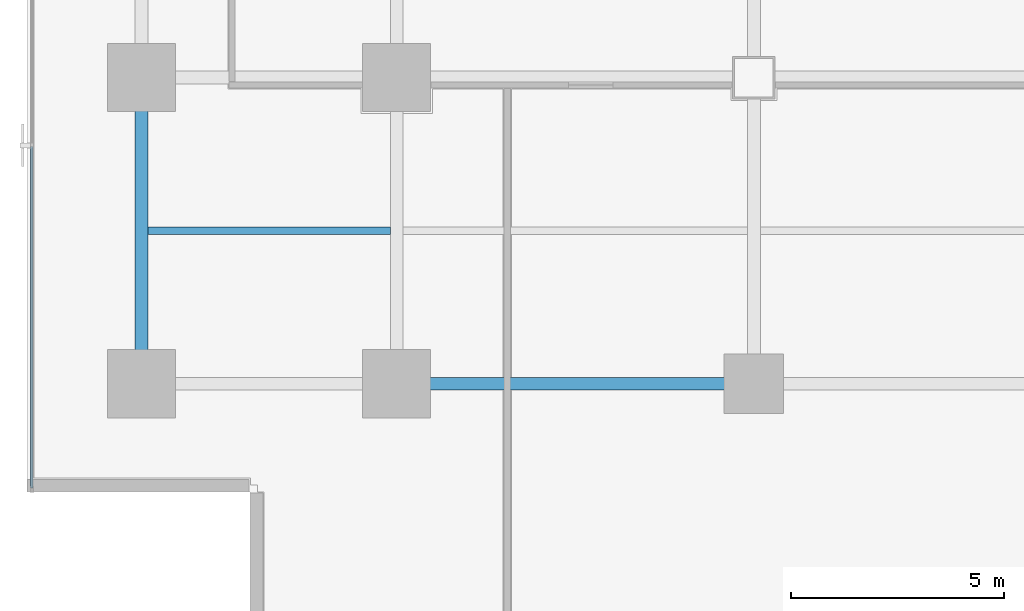
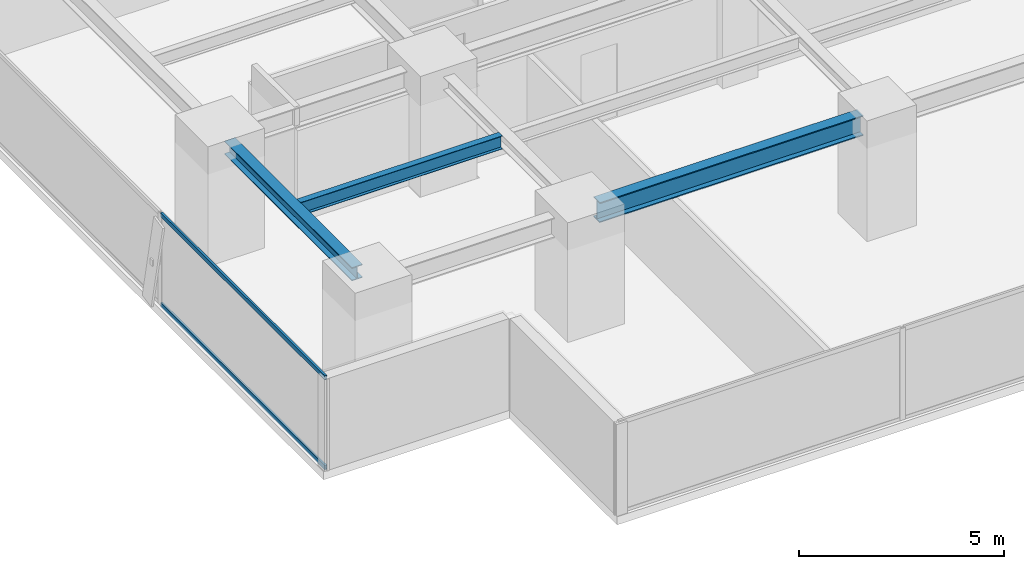
# One storey, part 3 of 37: 3 beams, 2 members, 1 element without a shape of its own.
"""IFC4 building model written with IfcOpenShell, lengths in metres."""

from ifc_helpers import new_model, si_unit, direction, frame, origin, origin_2d, place, context, subcontext, project, spatial, hollow_rectangle, i_section, extrude, source, transform, mapped, material, layer, layer_set, material_profile, profile_set, type_object, element, aggregate, save


model = new_model("IFC4")

# Units and contexts
model_context = context("Model", 3, precision=1e-05, world=origin(), true_north=direction((0.0, 1.0)))
body_context = subcontext(model_context, "Body", "Model", "MODEL_VIEW")
ifc_project = project(units=[si_unit("LENGTHUNIT", "METRE"), si_unit("AREAUNIT", "SQUARE_METRE"), si_unit("VOLUMEUNIT", "CUBIC_METRE"), si_unit("PLANEANGLEUNIT", "RADIAN"), si_unit("MASSUNIT", "GRAM", prefix="KILO")], contexts=[model_context])

# Site, building, storey
site_placement = place(None, origin())
site = spatial("IfcSite", under=ifc_project, at=site_placement, CompositionType="ELEMENT")
building_placement = place(site_placement, origin())
building = spatial("IfcBuilding", under=site, at=building_placement, Name="Sumidabori Civic Tower", CompositionType="ELEMENT")
storey_placement = place(building_placement, frame((0.0, 0.0, 95.60009765625)))
storey = spatial("IfcBuildingStorey", under=building, at=storey_placement, Name="L24", CompositionType="ELEMENT", Elevation=95.60009765625)

# Beams
ifc_material_1 = material(Name="Steel SN490", Category="steel")
ifc_material_profile_1 = material_profile(ifc_material_1, i_section(OverallWidth=0.300048828125, OverallDepth=0.60009765625, WebThickness=0.015380859375, FlangeThickness=0.030029296875, at=origin_2d()), Name="HE 600 B")
ifc_profile_set_1 = profile_set([ifc_material_profile_1], Name="Steel SN490")
beam_type_1 = type_object("IfcBeamType", Name="BM-GIRD-600", PredefinedType="BEAM", material=ifc_profile_set_1)
shared_shape_1 = source(origin(), body_context, "Body", "SweptSolid", [
    extrude(i_section(OverallWidth=0.300048828125, OverallDepth=0.60009765625, WebThickness=0.015380859375, FlangeThickness=0.030029296875, at=origin_2d()), origin(), (0.0, 0.0, 1.0), 7.440185546875),
])
beam_1_placement = place(storey_placement, frame((-16.320068359375, -18.0, 3.059814453125), z_axis=(1.0, 0.0, 0.0), x_axis=(0.0, 1.0, 0.0)))
element("IfcBeam", 1, at=beam_1_placement, inside=storey, type_object=beam_type_1, Name="Primary Girder L24 GX-02", PredefinedType="BEAM", context=body_context, shape_type="MappedRepresentation", body=[
    mapped(shared_shape_1, transform((0.0, 0.0, 0.0), x_axis=(1.0, 0.0, 0.0), y_axis=(0.0, 1.0, 0.0), z_axis=(0.0, 0.0, 1.0), scale=1.0)),
])
ifc_material_profile_2 = material_profile(ifc_material_1, i_section(OverallWidth=0.300048828125, OverallDepth=0.39990234375, WebThickness=0.013427734375, FlangeThickness=0.02392578125, at=origin_2d()), Name="HE 400 B")
ifc_profile_set_2 = profile_set([ifc_material_profile_2], Name="Steel SN490")
beam_type_2 = type_object("IfcBeamType", Name="BM-GIRD-400", PredefinedType="BEAM", material=ifc_profile_set_2)
shared_shape_2 = source(origin(), body_context, "Body", "SweptSolid", [
    extrude(i_section(OverallWidth=0.300048828125, OverallDepth=0.39990234375, WebThickness=0.013427734375, FlangeThickness=0.02392578125, at=origin_2d()), origin(), (0.0, 0.0, 1.0), 6.239990234375),
])
beam_2_placement = place(storey_placement, frame((-22.800048828125, -17.52001953125, 3.159912109375), z_axis=(0.0, 1.0, 0.0), x_axis=(-1.0, 0.0, 0.0)))
element("IfcBeam", 2, at=beam_2_placement, inside=storey, type_object=beam_type_2, Name="Primary Girder L24 GY-21", PredefinedType="BEAM", context=body_context, shape_type="MappedRepresentation", body=[
    mapped(shared_shape_2, transform((0.0, 0.0, 0.0), x_axis=(1.0, 0.0, 0.0), y_axis=(0.0, 1.0, 0.0), z_axis=(0.0, 0.0, 1.0), scale=1.0)),
])
ifc_material_profile_3 = material_profile(ifc_material_1, i_section(OverallWidth=0.179931640625, OverallDepth=0.39990234375, WebThickness=0.008544921875, FlangeThickness=0.013427734375, at=origin_2d()), Name="IPE 400")
ifc_profile_set_3 = profile_set([ifc_material_profile_3], Name="Steel SN490")
beam_type_3 = type_object("IfcBeamType", Name="BM-JST-400", PredefinedType="JOIST", material=ifc_profile_set_3)
shared_shape_3 = source(origin(), body_context, "Body", "SweptSolid", [
    extrude(i_section(OverallWidth=0.179931640625, OverallDepth=0.39990234375, WebThickness=0.008544921875, FlangeThickness=0.013427734375, at=origin_2d()), origin(), (0.0, 0.0, 1.0), 5.699951171875),
])
beam_3_placement = place(storey_placement, frame((-22.64990234375, -14.39990234375, 3.159912109375), z_axis=(1.0, 0.0, 0.0), x_axis=(0.0, 1.0, 0.0)))
element("IfcBeam", 3, at=beam_3_placement, inside=storey, type_object=beam_type_3, Name="Outer Bay Floor Joist L24 JSTO-51", PredefinedType="JOIST", context=body_context, shape_type="MappedRepresentation", body=[
    mapped(shared_shape_3, transform((0.0, 0.0, 0.0), x_axis=(1.0, 0.0, 0.0), y_axis=(0.0, 1.0, 0.0), z_axis=(0.0, 0.0, 1.0), scale=1.0)),
])

# Curtain wall, members
ifc_material_2 = material(Name="Anodised Bronze Aluminium AW-6063-T6", Category="aluminium")
ifc_layer = layer(ifc_material_2, 0.179931640625, Name="Anodised Bronze Aluminium AW-6063-T6")
ifc_layer_set = layer_set([ifc_layer], Name="Anodised Bronze Aluminium AW-6063-T6")
curtain_wall_type = type_object("IfcCurtainWallType", Name="CW-SYS-3", PredefinedType="NOTDEFINED", material=ifc_layer_set)
curtain_wall_placement = place(storey_placement, origin())
curtain_wall = element("IfcCurtainWall", 4, at=curtain_wall_placement, inside=storey, type_object=curtain_wall_type, Name="Curtain Wall CW:L24:R10", PredefinedType="NOTDEFINED")
ifc_material_profile_4 = material_profile(ifc_material_2, hollow_rectangle(XDim=0.06005859375, YDim=0.1298828125, WallThickness=0.0048828125, at=origin_2d()), Name="ALU TRANSOM 130x60")
ifc_profile_set_4 = profile_set([ifc_material_profile_4], Name="Anodised Bronze Aluminium AW-6063-T6")
member_type = type_object("IfcMemberType", Name="CW-TRN-130", PredefinedType="USERDEFINED", material=ifc_profile_set_4)
shared_shape_4 = source(origin(), body_context, "Body", "SweptSolid", [
    extrude(hollow_rectangle(XDim=0.06005859375, YDim=0.1298828125, WallThickness=0.0048828125, at=origin_2d()), origin(), (0.0, 0.0, 1.0), 8.030517578125),
])
member_1_placement = place(storey_placement, frame((-25.3798828125, -12.424560546875, 0.02978515625), z_axis=(0.0, -1.0, 0.0), x_axis=(1.0, 0.0, 0.0)))
member_1 = element("IfcMember", 5, at=member_1_placement, type_object=member_type, Name="CW-3 transom 5.1", ObjectType="TRANSOM", PredefinedType="USERDEFINED", context=body_context, shape_type="MappedRepresentation", body=[
    mapped(shared_shape_4, transform((0.0, 0.0, 0.0), x_axis=(1.0, 0.0, 0.0), y_axis=(0.0, 1.0, 0.0), z_axis=(0.0, 0.0, 1.0), scale=1.0)),
])
member_2_placement = place(storey_placement, frame((-25.3798828125, -12.424560546875, 2.7099609375), z_axis=(0.0, -1.0, 0.0), x_axis=(1.0, 0.0, 0.0)))
member_2 = element("IfcMember", 6, at=member_2_placement, type_object=member_type, Name="CW-3 transom 5.2", ObjectType="TRANSOM", PredefinedType="USERDEFINED", context=body_context, shape_type="MappedRepresentation", body=[
    mapped(shared_shape_4, transform((0.0, 0.0, 0.0), x_axis=(1.0, 0.0, 0.0), y_axis=(0.0, 1.0, 0.0), z_axis=(0.0, 0.0, 1.0), scale=1.0)),
])
aggregate(curtain_wall, [member_1, member_2])

save(model, "model.ifc")
